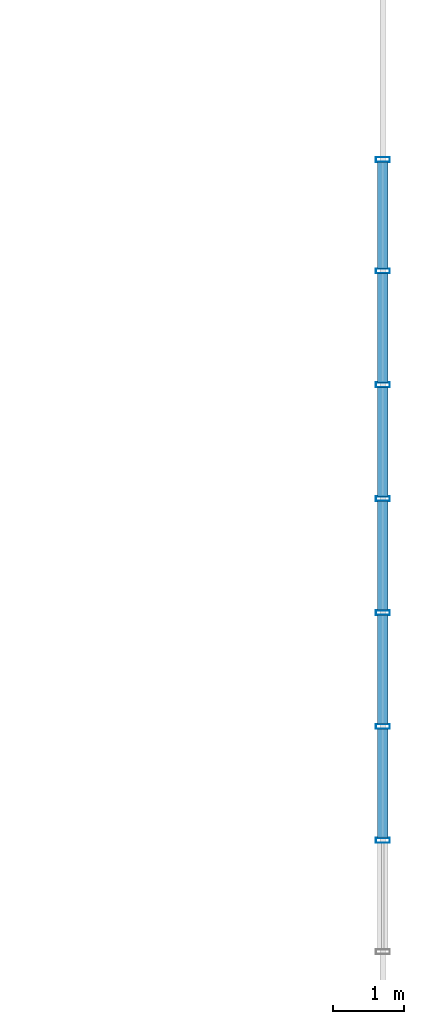
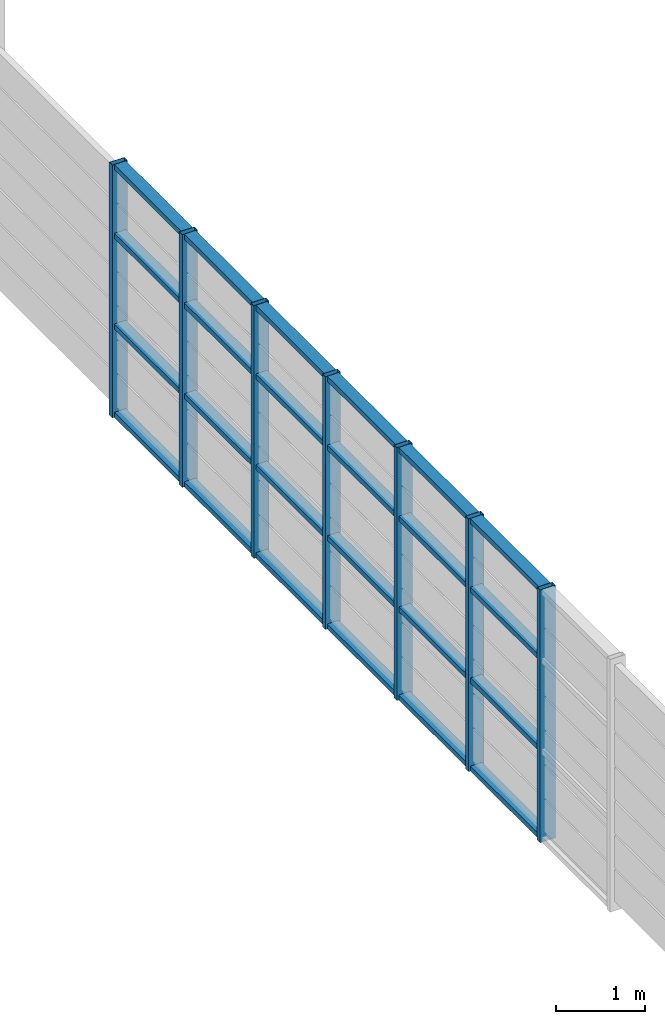
# One storey, part 11 of 21: 31 members, 1 element without a shape of its own.
"""IFC4 building model written with IfcOpenShell, lengths in metres."""

import ifcopenshell
import ifcopenshell.guid

model = None  # the IFC model being written
_history = None  # IfcOwnerHistory: only IFC2X3 demands one
_inside = {}  # id of a spatial element -> (the spatial element, [elements in it])
_under = {}  # id of a project, library or spatial element -> (it, [spatial elements below it])
_declared = {}  # id of a project -> (the project, [libraries it declares])
_typed = {}  # id of a type object -> (the type object, [elements of that type])
_made_of = {}  # id of a material, layer set ... -> (it, [elements and type objects made of it])


def new_model(schema):
    """Start an empty IFC model of exactly this schema.

    Asked for "IFC4X3", IfcOpenShell would pick the latest addendum, in which some entities
    have other attributes; the version numbers below select the first issue.
    IFC2X3 requires an IfcOwnerHistory on every rooted entity: one is made here for all.
    """
    global model, _history
    if schema == "IFC4X3":
        model = ifcopenshell.file(schema_version=(4, 3, 0, 0))
    else:
        model = ifcopenshell.file(schema=schema)
    _inside.clear()
    _under.clear()
    _declared.clear()
    _typed.clear()
    _made_of.clear()
    _history = None
    if model.schema == "IFC2X3":
        org = make("IfcOrganization", Name="unknown")
        user = make(
            "IfcPersonAndOrganization",
            ThePerson=make("IfcPerson", FamilyName="unknown"),
            TheOrganization=org,
        )
        app = make(
            "IfcApplication",
            ApplicationDeveloper=org,
            Version="unknown",
            ApplicationFullName="unknown",
            ApplicationIdentifier="unknown",
        )
        _history = make(
            "IfcOwnerHistory",
            OwningUser=user,
            OwningApplication=app,
            ChangeAction="ADDED",
            CreationDate=0,
        )
    return model


def make(cls, **values):
    """One entity of the class cls with the attributes given. An attribute that is None is left unset."""
    return model.create_entity(
        cls, **{name: value for name, value in values.items() if value is not None}
    )


def rooted(cls, **values):
    """An entity with a GlobalId (a new one), such as an element, a storey or a relation."""
    return make(cls, GlobalId=ifcopenshell.guid.new(), OwnerHistory=_history, **values)


def si_unit(unit_type, name, prefix=None):
    """IfcSIUnit, for example si_unit("LENGTHUNIT", "METRE", prefix="MILLI")."""
    return make("IfcSIUnit", UnitType=unit_type, Prefix=prefix, Name=name)


def assignment(units):
    """IfcUnitAssignment: the units of a project."""
    return None if units is None else make("IfcUnitAssignment", Units=units)


def point(xyz):
    """IfcCartesianPoint."""
    return None if xyz is None else make("IfcCartesianPoint", Coordinates=xyz)


def direction(xyz):
    """IfcDirection."""
    return None if xyz is None else make("IfcDirection", DirectionRatios=xyz)


def frame(location, z_axis=None, x_axis=None):
    """IfcAxis2Placement3D, a coordinate frame: its origin and axes. An axis left out is left unset."""
    return make(
        "IfcAxis2Placement3D",
        Location=point(location),
        Axis=direction(z_axis),
        RefDirection=direction(x_axis),
    )


def frame_2d(location, x_axis=None):
    """IfcAxis2Placement2D, a coordinate frame in the plane: its origin and x axis."""
    return make(
        "IfcAxis2Placement2D", Location=point(location), RefDirection=direction(x_axis)
    )


def origin():
    """The frame at (0, 0, 0) with its axes left unset."""
    return frame((0.0, 0.0, 0.0))


def origin_2d():
    """The frame at (0, 0) in the plane with its x axis left unset."""
    return frame_2d((0.0, 0.0))


def place(relative_to, where):
    """IfcLocalPlacement: puts the frame where relative to a parent placement (None: the world)."""
    return make(
        "IfcLocalPlacement", PlacementRelTo=relative_to, RelativePlacement=where
    )


def context(
    kind, dimensions, precision=None, world=None, true_north=None, identifier=None
):
    """IfcGeometricRepresentationContext, for example the 3D "Model" context."""
    return make(
        "IfcGeometricRepresentationContext",
        ContextIdentifier=identifier,
        ContextType=kind,
        CoordinateSpaceDimension=dimensions,
        Precision=precision,
        WorldCoordinateSystem=world,
        TrueNorth=true_north,
    )


def subcontext(parent, identifier, kind, view, scale=None):
    """IfcGeometricRepresentationSubContext, for example "Body" below "Model"."""
    return make(
        "IfcGeometricRepresentationSubContext",
        ContextIdentifier=identifier,
        ContextType=kind,
        ParentContext=parent,
        TargetScale=scale,
        TargetView=view,
    )


def project(units=None, contexts=None):
    """IfcProject with its units and contexts."""
    return rooted(
        "IfcProject",
        Name="project",
        RepresentationContexts=contexts,
        UnitsInContext=assignment(units),
    )


def spatial(cls, under=None, at=None, **own):
    """A site, building, storey or space (cls), placed at a placement, below another one or the project."""
    s = rooted(cls, ObjectPlacement=at, **own)
    if under is not None:
        _under.setdefault(under.id(), (under, []))[1].append(s)
    return s


def profile(cls, at=None, kind="AREA", **sizes):
    """A parametric profile (cls). Its sizes go by their IFC names, for example OverallWidth=200.0."""
    return make(cls, ProfileType=kind, Position=at, **sizes)


def hollow_rectangle(**sizes):
    """IfcRectangleHollowProfileDef."""
    return profile("IfcRectangleHollowProfileDef", **sizes)


def extrude(swept, where, along, depth):
    """IfcExtrudedAreaSolid: the profile swept, set in the frame where, extruded along a direction by depth."""
    return make(
        "IfcExtrudedAreaSolid",
        SweptArea=swept,
        Position=where,
        ExtrudedDirection=direction(along),
        Depth=depth,
    )


def shape(context_of_items, identifier, shape_type, items):
    """IfcShapeRepresentation: the items that make up one representation, for example the "Body"."""
    return make(
        "IfcShapeRepresentation",
        ContextOfItems=context_of_items,
        RepresentationIdentifier=identifier,
        RepresentationType=shape_type,
        Items=items,
    )


def source(mapping_origin, context_of_items, identifier, shape_type, items):
    """IfcRepresentationMap: a shape defined once, which mapped items show again and again."""
    return make(
        "IfcRepresentationMap",
        MappingOrigin=mapping_origin,
        MappedRepresentation=shape(context_of_items, identifier, shape_type, items),
    )


def transform(
    local_origin,
    x_axis=None,
    y_axis=None,
    z_axis=None,
    scale=None,
    scale2=None,
    scale3=None,
    uniform=True,
):
    """IfcCartesianTransformationOperator3D, or its non-uniform kind. x_axis, y_axis, z_axis: its Axis1, 2, 3."""
    if uniform:
        return make(
            "IfcCartesianTransformationOperator3D",
            Axis1=direction(x_axis),
            Axis2=direction(y_axis),
            LocalOrigin=point(local_origin),
            Scale=scale,
            Axis3=direction(z_axis),
        )
    return make(
        "IfcCartesianTransformationOperator3DnonUniform",
        Axis1=direction(x_axis),
        Axis2=direction(y_axis),
        LocalOrigin=point(local_origin),
        Scale=scale,
        Axis3=direction(z_axis),
        Scale2=scale2,
        Scale3=scale3,
    )


def mapped(mapping_source, mapping_target):
    """IfcMappedItem: shows the shape of a source again, moved by a transform."""
    return make(
        "IfcMappedItem", MappingSource=mapping_source, MappingTarget=mapping_target
    )


def material(Name=None, Category=None):
    """IfcMaterial."""
    return make("IfcMaterial", Name=Name, Category=Category)


def layer(
    of_material, thickness, ventilated=None, Name=None, Category=None, Priority=None
):
    """IfcMaterialLayer: one layer of a wall or slab, of a material (None: an air gap)."""
    return make(
        "IfcMaterialLayer",
        Material=of_material,
        LayerThickness=thickness,
        IsVentilated=ventilated,
        Name=Name,
        Category=Category,
        Priority=Priority,
    )


def layer_set(layers, Name=None):
    """IfcMaterialLayerSet."""
    return make("IfcMaterialLayerSet", MaterialLayers=layers, LayerSetName=Name)


def material_profile(
    of_material, cross_section, Name=None, Category=None, Priority=None
):
    """IfcMaterialProfile: a cross section and its material."""
    return make(
        "IfcMaterialProfile",
        Name=Name,
        Material=of_material,
        Profile=cross_section,
        Priority=Priority,
        Category=Category,
    )


def profile_set(profiles, Name=None, composite=None):
    """IfcMaterialProfileSet."""
    return make(
        "IfcMaterialProfileSet",
        Name=Name,
        MaterialProfiles=profiles,
        CompositeProfile=composite,
    )


def made_of(thing, what):
    """Note that an element or type object is made of a material, layer set ...; save() writes the relation."""
    if what is not None:
        _made_of.setdefault(what.id(), (what, []))[1].append(thing)
    return thing


def type_object(cls, material=None, **own):
    """A type object (cls), such as IfcWallType, which elements share."""
    return made_of(rooted(cls, **own), material)


def element(
    cls,
    number,
    at=None,
    inside=None,
    cuts=None,
    type_object=None,
    material=None,
    context=None,
    identifier="Body",
    shape_type=None,
    held_by="IfcProductDefinitionShape",
    body=None,
    shapes=None,
    **own,
):
    """One element of the class cls, such as IfcWall. Its Tag is "e" and its number.

    at: its placement. inside: the storey or other place that contains it. cuts: it is an
    opening in that element (IfcRelVoidsElement). A single representation is given by context,
    identifier, shape_type and body (its items); several are given by shapes. held_by: the class
    of the entity that holds the representations. save() writes the other relations.
    """
    e = rooted(cls, Tag="e%d" % number, ObjectPlacement=at, **own)
    if body is not None:
        shapes = [shape(context, identifier, shape_type, body)]
    if shapes is not None:
        e.Representation = make(held_by, Representations=shapes)
    if inside is not None:
        _inside.setdefault(inside.id(), (inside, []))[1].append(e)
    if cuts is not None:
        rooted(
            "IfcRelVoidsElement", RelatingBuildingElement=cuts, RelatedOpeningElement=e
        )
    if type_object is not None:
        _typed.setdefault(type_object.id(), (type_object, []))[1].append(e)
    return made_of(e, material)


def aggregate(whole, parts):
    """IfcRelAggregates: a whole, such as a stair, and the parts it consists of."""
    return rooted("IfcRelAggregates", RelatingObject=whole, RelatedObjects=parts)


def save(model, path):
    """Write the relations noted so far, then the file.

    IfcRelAggregates (storeys below a building ...), IfcRelContainedInSpatialStructure (elements
    in a storey), IfcRelDefinesByType, IfcRelAssociatesMaterial and IfcRelDeclares: one each for
    every whole, place, type object, material and project.
    """
    for whole, parts in _under.values():
        aggregate(whole, parts)
    for where, things in _inside.values():
        rooted(
            "IfcRelContainedInSpatialStructure",
            RelatedElements=things,
            RelatingStructure=where,
        )
    for kind, things in _typed.values():
        rooted("IfcRelDefinesByType", RelatedObjects=things, RelatingType=kind)
    for what, things in _made_of.values():
        rooted("IfcRelAssociatesMaterial", RelatedObjects=things, RelatingMaterial=what)
    for by, libraries in _declared.values():
        rooted("IfcRelDeclares", RelatingContext=by, RelatedDefinitions=libraries)
    model.write(path)


model = new_model("IFC4")

# Units and contexts
model_context = context("Model", 3, precision=1e-05, world=origin(), true_north=direction((0.0, 1.0)))
body_context = subcontext(model_context, "Body", "Model", "MODEL_VIEW")
ifc_project = project(units=[si_unit("LENGTHUNIT", "METRE"), si_unit("AREAUNIT", "SQUARE_METRE"), si_unit("VOLUMEUNIT", "CUBIC_METRE"), si_unit("PLANEANGLEUNIT", "RADIAN"), si_unit("MASSUNIT", "GRAM", prefix="KILO")], contexts=[model_context])

# Site, building, storey
site_placement = place(None, origin())
site = spatial("IfcSite", under=ifc_project, at=site_placement, CompositionType="ELEMENT")
building_placement = place(site_placement, origin())
building = spatial("IfcBuilding", under=site, at=building_placement, Name="Saelheon Loggia Tower", CompositionType="ELEMENT")
storey_placement = place(building_placement, frame((0.0, 0.0, 259.800048828125)))
storey = spatial("IfcBuildingStorey", under=building, at=storey_placement, Name="CR3", CompositionType="ELEMENT", Elevation=259.800048828125)

# Curtain wall, members
ifc_material_1 = material(Name="Bronze-Anodised Aluminium and Fritted Ceramic Screen", Category="aluminium")
ifc_layer = layer(ifc_material_1, 0.219970703125)
ifc_layer_set = layer_set([ifc_layer], Name="Bronze-Anodised Aluminium and Fritted Ceramic Screen")
curtain_wall_type = type_object("IfcCurtainWallType", Name="CW_CrownScreen", PredefinedType="NOTDEFINED", material=ifc_layer_set)
curtain_wall_placement = place(storey_placement, origin())
curtain_wall = element("IfcCurtainWall", 1, at=curtain_wall_placement, inside=storey, type_object=curtain_wall_type, Name="CR3 Crown Central Screen Curtain Wall 3", PredefinedType="NOTDEFINED")
ifc_material_2 = material(Name="Bronze-Anodised Aluminium 6063-T6", Category="aluminium")
ifc_material_profile_1 = material_profile(ifc_material_2, hollow_rectangle(XDim=0.070068359375, YDim=0.199951171875, WallThickness=0.0048828125, at=origin_2d()), Name="RHS-200x70x5")
ifc_profile_set_1 = profile_set([ifc_material_profile_1], Name="Bronze-Anodised Aluminium 6063-T6")
member_type_1 = type_object("IfcMemberType", Name="CW_CrownScreen_Mullion", PredefinedType="MULLION", material=ifc_profile_set_1)
shared_shape_1 = source(origin(), body_context, "Body", "SweptSolid", [
    extrude(hollow_rectangle(XDim=0.070068359375, YDim=0.199951171875, WallThickness=0.0048828125, at=origin_2d()), origin(), (0.0, 0.0, 1.0), 3.47998046875),
])
member_1_placement = place(storey_placement, frame((52.64990234375, 22.96435546875, 0.0), z_axis=(0.0, 0.0, 1.0), x_axis=(0.0, 1.0, 0.0)))
member_1 = element("IfcMember", 2, at=member_1_placement, type_object=member_type_1, Name="CW6 mullion 2", PredefinedType="MULLION", context=body_context, shape_type="MappedRepresentation", body=[
    mapped(shared_shape_1, transform((0.0, 0.0, 0.0), scale=1.0)),
])
member_2_placement = place(storey_placement, frame((52.64990234375, 24.57861328125, 0.0), z_axis=(0.0, 0.0, 1.0), x_axis=(0.0, 1.0, 0.0)))
member_2 = element("IfcMember", 3, at=member_2_placement, type_object=member_type_1, Name="CW6 mullion 3", PredefinedType="MULLION", context=body_context, shape_type="MappedRepresentation", body=[
    mapped(shared_shape_1, transform((0.0, 0.0, 0.0), scale=1.0)),
])
member_3_placement = place(storey_placement, frame((52.64990234375, 26.19287109375, 0.0), z_axis=(0.0, 0.0, 1.0), x_axis=(0.0, 1.0, 0.0)))
member_3 = element("IfcMember", 4, at=member_3_placement, type_object=member_type_1, Name="CW6 mullion 4", PredefinedType="MULLION", context=body_context, shape_type="MappedRepresentation", body=[
    mapped(shared_shape_1, transform((0.0, 0.0, 0.0), scale=1.0)),
])
member_4_placement = place(storey_placement, frame((52.64990234375, 27.80712890625, 0.0), z_axis=(0.0, 0.0, 1.0), x_axis=(0.0, 1.0, 0.0)))
member_4 = element("IfcMember", 5, at=member_4_placement, type_object=member_type_1, Name="CW6 mullion 5", PredefinedType="MULLION", context=body_context, shape_type="MappedRepresentation", body=[
    mapped(shared_shape_1, transform((0.0, 0.0, 0.0), scale=1.0)),
])
member_5_placement = place(storey_placement, frame((52.64990234375, 29.42138671875, 0.0), z_axis=(0.0, 0.0, 1.0), x_axis=(0.0, 1.0, 0.0)))
member_5 = element("IfcMember", 6, at=member_5_placement, type_object=member_type_1, Name="CW6 mullion 6", PredefinedType="MULLION", context=body_context, shape_type="MappedRepresentation", body=[
    mapped(shared_shape_1, transform((0.0, 0.0, 0.0), scale=1.0)),
])
member_6_placement = place(storey_placement, frame((52.64990234375, 31.03564453125, 0.0), z_axis=(0.0, 0.0, 1.0), x_axis=(0.0, 1.0, 0.0)))
member_6 = element("IfcMember", 7, at=member_6_placement, type_object=member_type_1, Name="CW6 mullion 7", PredefinedType="MULLION", context=body_context, shape_type="MappedRepresentation", body=[
    mapped(shared_shape_1, transform((0.0, 0.0, 0.0), scale=1.0)),
])
member_7_placement = place(storey_placement, frame((52.64990234375, 32.614990234375, 0.0), z_axis=(0.0, 0.0, 1.0), x_axis=(0.0, 1.0, 0.0)))
member_7 = element("IfcMember", 8, at=member_7_placement, type_object=member_type_1, Name="CW6 mullion 8", PredefinedType="MULLION", context=body_context, shape_type="MappedRepresentation", body=[
    mapped(shared_shape_1, transform((0.0, 0.0, 0.0), scale=1.0)),
])
ifc_material_profile_2 = material_profile(ifc_material_2, hollow_rectangle(XDim=0.070068359375, YDim=0.14990234375, WallThickness=0.0048828125, at=origin_2d()), Name="RHS-150x70x5")
ifc_profile_set_2 = profile_set([ifc_material_profile_2], Name="Bronze-Anodised Aluminium 6063-T6")
member_type_2 = type_object("IfcMemberType", Name="CW_CrownScreen_Transom", PredefinedType="USERDEFINED", material=ifc_profile_set_2)
shared_shape_2 = source(origin(), body_context, "Body", "SweptSolid", [
    extrude(hollow_rectangle(XDim=0.070068359375, YDim=0.14990234375, WallThickness=0.0048828125, at=origin_2d()), origin(), (0.0, 0.0, 1.0), 1.50927734375),
])
member_8_placement = place(storey_placement, frame((52.64990234375, 31.07080078125, 0.034912109375), z_axis=(0.0, 1.0, 0.0), x_axis=(0.0, 0.0, 1.0)))
member_8 = element("IfcMember", 9, at=member_8_placement, type_object=member_type_2, Name="CW6 transom 7.1", ObjectType="TRANSOM", PredefinedType="USERDEFINED", context=body_context, shape_type="MappedRepresentation", body=[
    mapped(shared_shape_2, transform((0.0, 0.0, 0.0), scale=1.0)),
])
member_9_placement = place(storey_placement, frame((52.64990234375, 31.07080078125, 1.25), z_axis=(0.0, 1.0, 0.0), x_axis=(0.0, 0.0, 1.0)))
member_9 = element("IfcMember", 10, at=member_9_placement, type_object=member_type_2, Name="CW6 transom 7.2", ObjectType="TRANSOM", PredefinedType="USERDEFINED", context=body_context, shape_type="MappedRepresentation", body=[
    mapped(shared_shape_2, transform((0.0, 0.0, 0.0), scale=1.0)),
])
member_10_placement = place(storey_placement, frame((52.64990234375, 31.07080078125, 2.5), z_axis=(0.0, 1.0, 0.0), x_axis=(0.0, 0.0, 1.0)))
member_10 = element("IfcMember", 11, at=member_10_placement, type_object=member_type_2, Name="CW6 transom 7.3", ObjectType="TRANSOM", PredefinedType="USERDEFINED", context=body_context, shape_type="MappedRepresentation", body=[
    mapped(shared_shape_2, transform((0.0, 0.0, 0.0), scale=1.0)),
])
member_11_placement = place(storey_placement, frame((52.64990234375, 31.07080078125, 3.445068359375), z_axis=(0.0, 1.0, 0.0), x_axis=(0.0, 0.0, 1.0)))
member_11 = element("IfcMember", 12, at=member_11_placement, type_object=member_type_2, Name="CW6 transom 7.4", ObjectType="TRANSOM", PredefinedType="USERDEFINED", context=body_context, shape_type="MappedRepresentation", body=[
    mapped(shared_shape_2, transform((0.0, 0.0, 0.0), scale=1.0)),
])
shared_shape_3 = source(origin(), body_context, "Body", "SweptSolid", [
    extrude(hollow_rectangle(XDim=0.070068359375, YDim=0.14990234375, WallThickness=0.0048828125, at=origin_2d()), origin(), (0.0, 0.0, 1.0), 1.544189453125),
])
member_12_placement = place(storey_placement, frame((52.64990234375, 22.999267578125, 0.034912109375), z_axis=(0.0, 1.0, 0.0), x_axis=(0.0, 0.0, 1.0)))
member_12 = element("IfcMember", 13, at=member_12_placement, type_object=member_type_2, Name="CW6 transom 2.1", ObjectType="TRANSOM", PredefinedType="USERDEFINED", context=body_context, shape_type="MappedRepresentation", body=[
    mapped(shared_shape_3, transform((0.0, 0.0, 0.0), scale=1.0)),
])
member_13_placement = place(storey_placement, frame((52.64990234375, 22.999267578125, 1.25), z_axis=(0.0, 1.0, 0.0), x_axis=(0.0, 0.0, 1.0)))
member_13 = element("IfcMember", 14, at=member_13_placement, type_object=member_type_2, Name="CW6 transom 2.2", ObjectType="TRANSOM", PredefinedType="USERDEFINED", context=body_context, shape_type="MappedRepresentation", body=[
    mapped(shared_shape_3, transform((0.0, 0.0, 0.0), scale=1.0)),
])
member_14_placement = place(storey_placement, frame((52.64990234375, 22.999267578125, 2.5), z_axis=(0.0, 1.0, 0.0), x_axis=(0.0, 0.0, 1.0)))
member_14 = element("IfcMember", 15, at=member_14_placement, type_object=member_type_2, Name="CW6 transom 2.3", ObjectType="TRANSOM", PredefinedType="USERDEFINED", context=body_context, shape_type="MappedRepresentation", body=[
    mapped(shared_shape_3, transform((0.0, 0.0, 0.0), scale=1.0)),
])
member_15_placement = place(storey_placement, frame((52.64990234375, 22.999267578125, 3.445068359375), z_axis=(0.0, 1.0, 0.0), x_axis=(0.0, 0.0, 1.0)))
member_15 = element("IfcMember", 16, at=member_15_placement, type_object=member_type_2, Name="CW6 transom 2.4", ObjectType="TRANSOM", PredefinedType="USERDEFINED", context=body_context, shape_type="MappedRepresentation", body=[
    mapped(shared_shape_3, transform((0.0, 0.0, 0.0), scale=1.0)),
])
member_16_placement = place(storey_placement, frame((52.64990234375, 29.45654296875, 0.034912109375), z_axis=(0.0, 1.0, 0.0), x_axis=(0.0, 0.0, 1.0)))
member_16 = element("IfcMember", 17, at=member_16_placement, type_object=member_type_2, Name="CW6 transom 6.1", ObjectType="TRANSOM", PredefinedType="USERDEFINED", context=body_context, shape_type="MappedRepresentation", body=[
    mapped(shared_shape_3, transform((0.0, 0.0, 0.0), scale=1.0)),
])
member_17_placement = place(storey_placement, frame((52.64990234375, 29.45654296875, 1.25), z_axis=(0.0, 1.0, 0.0), x_axis=(0.0, 0.0, 1.0)))
member_17 = element("IfcMember", 18, at=member_17_placement, type_object=member_type_2, Name="CW6 transom 6.2", ObjectType="TRANSOM", PredefinedType="USERDEFINED", context=body_context, shape_type="MappedRepresentation", body=[
    mapped(shared_shape_3, transform((0.0, 0.0, 0.0), scale=1.0)),
])
member_18_placement = place(storey_placement, frame((52.64990234375, 29.45654296875, 2.5), z_axis=(0.0, 1.0, 0.0), x_axis=(0.0, 0.0, 1.0)))
member_18 = element("IfcMember", 19, at=member_18_placement, type_object=member_type_2, Name="CW6 transom 6.3", ObjectType="TRANSOM", PredefinedType="USERDEFINED", context=body_context, shape_type="MappedRepresentation", body=[
    mapped(shared_shape_3, transform((0.0, 0.0, 0.0), scale=1.0)),
])
member_19_placement = place(storey_placement, frame((52.64990234375, 29.45654296875, 3.445068359375), z_axis=(0.0, 1.0, 0.0), x_axis=(0.0, 0.0, 1.0)))
member_19 = element("IfcMember", 20, at=member_19_placement, type_object=member_type_2, Name="CW6 transom 6.4", ObjectType="TRANSOM", PredefinedType="USERDEFINED", context=body_context, shape_type="MappedRepresentation", body=[
    mapped(shared_shape_3, transform((0.0, 0.0, 0.0), scale=1.0)),
])
shared_shape_4 = source(origin(), body_context, "Body", "SweptSolid", [
    extrude(hollow_rectangle(XDim=0.070068359375, YDim=0.14990234375, WallThickness=0.0048828125, at=origin_2d()), origin(), (0.0, 0.0, 1.0), 1.54443359375),
])
member_20_placement = place(storey_placement, frame((52.64990234375, 24.613525390625, 0.034912109375), z_axis=(0.0, 1.0, 0.0), x_axis=(0.0, 0.0, 1.0)))
member_20 = element("IfcMember", 21, at=member_20_placement, type_object=member_type_2, Name="CW6 transom 3.1", ObjectType="TRANSOM", PredefinedType="USERDEFINED", context=body_context, shape_type="MappedRepresentation", body=[
    mapped(shared_shape_4, transform((0.0, 0.0, 0.0), scale=1.0)),
])
member_21_placement = place(storey_placement, frame((52.64990234375, 24.613525390625, 1.25), z_axis=(0.0, 1.0, 0.0), x_axis=(0.0, 0.0, 1.0)))
member_21 = element("IfcMember", 22, at=member_21_placement, type_object=member_type_2, Name="CW6 transom 3.2", ObjectType="TRANSOM", PredefinedType="USERDEFINED", context=body_context, shape_type="MappedRepresentation", body=[
    mapped(shared_shape_4, transform((0.0, 0.0, 0.0), scale=1.0)),
])
member_22_placement = place(storey_placement, frame((52.64990234375, 24.613525390625, 2.5), z_axis=(0.0, 1.0, 0.0), x_axis=(0.0, 0.0, 1.0)))
member_22 = element("IfcMember", 23, at=member_22_placement, type_object=member_type_2, Name="CW6 transom 3.3", ObjectType="TRANSOM", PredefinedType="USERDEFINED", context=body_context, shape_type="MappedRepresentation", body=[
    mapped(shared_shape_4, transform((0.0, 0.0, 0.0), scale=1.0)),
])
member_23_placement = place(storey_placement, frame((52.64990234375, 24.613525390625, 3.445068359375), z_axis=(0.0, 1.0, 0.0), x_axis=(0.0, 0.0, 1.0)))
member_23 = element("IfcMember", 24, at=member_23_placement, type_object=member_type_2, Name="CW6 transom 3.4", ObjectType="TRANSOM", PredefinedType="USERDEFINED", context=body_context, shape_type="MappedRepresentation", body=[
    mapped(shared_shape_4, transform((0.0, 0.0, 0.0), scale=1.0)),
])
member_24_placement = place(storey_placement, frame((52.64990234375, 26.227783203125, 0.034912109375), z_axis=(0.0, 1.0, 0.0), x_axis=(0.0, 0.0, 1.0)))
member_24 = element("IfcMember", 25, at=member_24_placement, type_object=member_type_2, Name="CW6 transom 4.1", ObjectType="TRANSOM", PredefinedType="USERDEFINED", context=body_context, shape_type="MappedRepresentation", body=[
    mapped(shared_shape_4, transform((0.0, 0.0, 0.0), scale=1.0)),
])
member_25_placement = place(storey_placement, frame((52.64990234375, 26.227783203125, 1.25), z_axis=(0.0, 1.0, 0.0), x_axis=(0.0, 0.0, 1.0)))
member_25 = element("IfcMember", 26, at=member_25_placement, type_object=member_type_2, Name="CW6 transom 4.2", ObjectType="TRANSOM", PredefinedType="USERDEFINED", context=body_context, shape_type="MappedRepresentation", body=[
    mapped(shared_shape_4, transform((0.0, 0.0, 0.0), scale=1.0)),
])
member_26_placement = place(storey_placement, frame((52.64990234375, 26.227783203125, 2.5), z_axis=(0.0, 1.0, 0.0), x_axis=(0.0, 0.0, 1.0)))
member_26 = element("IfcMember", 27, at=member_26_placement, type_object=member_type_2, Name="CW6 transom 4.3", ObjectType="TRANSOM", PredefinedType="USERDEFINED", context=body_context, shape_type="MappedRepresentation", body=[
    mapped(shared_shape_4, transform((0.0, 0.0, 0.0), scale=1.0)),
])
member_27_placement = place(storey_placement, frame((52.64990234375, 26.227783203125, 3.445068359375), z_axis=(0.0, 1.0, 0.0), x_axis=(0.0, 0.0, 1.0)))
member_27 = element("IfcMember", 28, at=member_27_placement, type_object=member_type_2, Name="CW6 transom 4.4", ObjectType="TRANSOM", PredefinedType="USERDEFINED", context=body_context, shape_type="MappedRepresentation", body=[
    mapped(shared_shape_4, transform((0.0, 0.0, 0.0), scale=1.0)),
])
member_28_placement = place(storey_placement, frame((52.64990234375, 27.842041015625, 0.034912109375), z_axis=(0.0, 1.0, 0.0), x_axis=(0.0, 0.0, 1.0)))
member_28 = element("IfcMember", 29, at=member_28_placement, type_object=member_type_2, Name="CW6 transom 5.1", ObjectType="TRANSOM", PredefinedType="USERDEFINED", context=body_context, shape_type="MappedRepresentation", body=[
    mapped(shared_shape_4, transform((0.0, 0.0, 0.0), scale=1.0)),
])
member_29_placement = place(storey_placement, frame((52.64990234375, 27.842041015625, 1.25), z_axis=(0.0, 1.0, 0.0), x_axis=(0.0, 0.0, 1.0)))
member_29 = element("IfcMember", 30, at=member_29_placement, type_object=member_type_2, Name="CW6 transom 5.2", ObjectType="TRANSOM", PredefinedType="USERDEFINED", context=body_context, shape_type="MappedRepresentation", body=[
    mapped(shared_shape_4, transform((0.0, 0.0, 0.0), scale=1.0)),
])
member_30_placement = place(storey_placement, frame((52.64990234375, 27.842041015625, 2.5), z_axis=(0.0, 1.0, 0.0), x_axis=(0.0, 0.0, 1.0)))
member_30 = element("IfcMember", 31, at=member_30_placement, type_object=member_type_2, Name="CW6 transom 5.3", ObjectType="TRANSOM", PredefinedType="USERDEFINED", context=body_context, shape_type="MappedRepresentation", body=[
    mapped(shared_shape_4, transform((0.0, 0.0, 0.0), scale=1.0)),
])
member_31_placement = place(storey_placement, frame((52.64990234375, 27.842041015625, 3.445068359375), z_axis=(0.0, 1.0, 0.0), x_axis=(0.0, 0.0, 1.0)))
member_31 = element("IfcMember", 32, at=member_31_placement, type_object=member_type_2, Name="CW6 transom 5.4", ObjectType="TRANSOM", PredefinedType="USERDEFINED", context=body_context, shape_type="MappedRepresentation", body=[
    mapped(shared_shape_4, transform((0.0, 0.0, 0.0), scale=1.0)),
])
aggregate(curtain_wall, [member_1, member_2, member_3, member_4, member_5, member_6, member_7, member_12, member_13, member_14, member_15, member_20, member_21, member_22, member_23, member_24, member_25, member_26, member_27, member_28, member_29, member_30, member_31, member_16, member_17, member_18, member_19, member_8, member_9, member_10, member_11])

save(model, "model.ifc")
